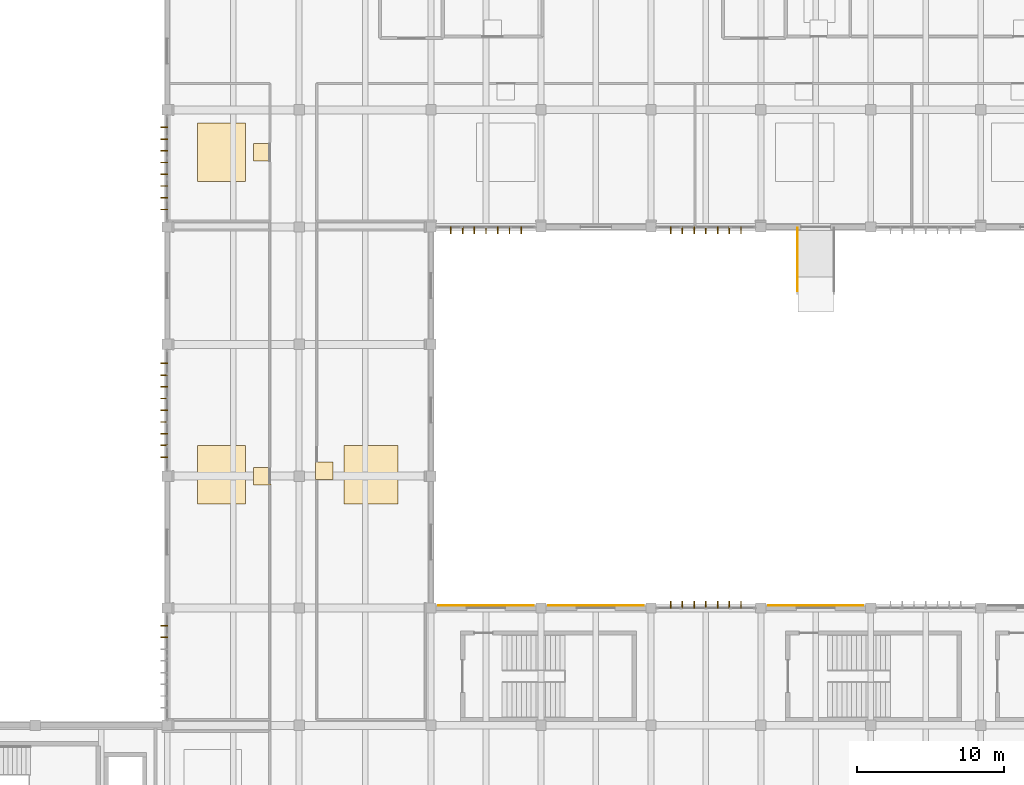
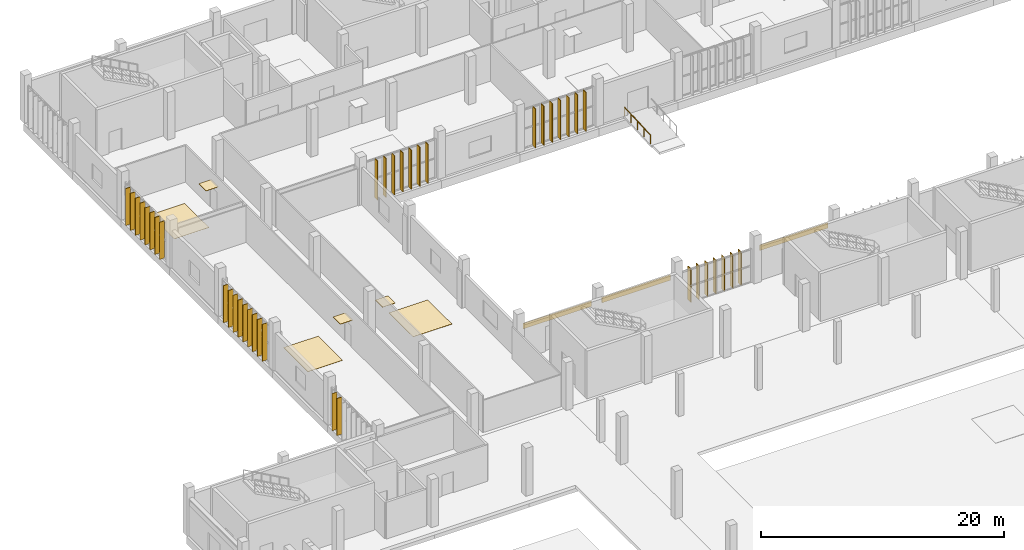
# One storey, part 63 of 72: 40 shading devices, 9 coverings, 1 railing.
"""IFC4 building model written with IfcOpenShell, lengths in metres."""

from ifc_helpers import new_model, si_unit, direction, frame, origin, origin_2d, place, context, subcontext, project, spatial, rectangle, circle, extrude, material, layer, layer_set, material_profile, profile_set, type_object, element, save


model = new_model("IFC4")

# Units and contexts
model_context = context("Model", 3, precision=1e-05, world=origin(), true_north=direction((0.0, 1.0)))
body_context = subcontext(model_context, "Body", "Model", "MODEL_VIEW")
ifc_project = project(units=[si_unit("LENGTHUNIT", "METRE"), si_unit("AREAUNIT", "SQUARE_METRE"), si_unit("VOLUMEUNIT", "CUBIC_METRE"), si_unit("PLANEANGLEUNIT", "RADIAN"), si_unit("MASSUNIT", "GRAM", prefix="KILO")], contexts=[model_context])

# Site, building, storey
site_placement = place(None, origin())
site = spatial("IfcSite", under=ifc_project, at=site_placement, CompositionType="ELEMENT")
building_placement = place(site_placement, origin())
building = spatial("IfcBuilding", under=site, at=building_placement, Name="Vourika Railside Aquatics Centre", CompositionType="ELEMENT")
storey_placement = place(building_placement, origin())
storey = spatial("IfcBuildingStorey", under=building, at=storey_placement, Name="L00", CompositionType="ELEMENT", Elevation=0.0)

# Coverings
ifc_material_1 = material(Name="Perforated moisture-resistant acoustic gypsum ceiling")
ifc_layer_1 = layer(ifc_material_1, 0.02490234375, Name="COV-CEIL-25")
ifc_layer_set_1 = layer_set([ifc_layer_1], Name="Perforated moisture-resistant acoustic gypsum ceiling")
covering_type_1 = type_object("IfcCoveringType", Name="COV-CEIL-25", PredefinedType="CEILING", material=ifc_layer_set_1)
for number, where, z_axis, x_axis, name in (
    (1, (24.47998046875, 97.10009765625, 2.637451171875), (0.0, 0.0, 1.0), (1.0, 0.0, 0.0), "Gait Hydro-Treadmill Therapy Room Acoustic Ceiling Panel"),
    (2, (24.47998046875, 75.010009765625, 2.637451171875), (0.0, 0.0, 1.0), (1.0, 0.0, 0.0), "Cryotherapy Recovery Hall Acoustic Ceiling Panel"),
    (3, (28.719970703125, 75.375, 2.637451171875), (0.0, 0.0, 1.0), (1.0, 0.0, 0.0), "Community Club Reception Hall Acoustic Ceiling Panel"),
):
    element("IfcCovering", number, at=place(storey_placement, frame(where, z_axis=z_axis, x_axis=x_axis)), inside=storey, type_object=covering_type_1, Name=name, PredefinedType="CEILING", context=body_context, shape_type="SweptSolid", body=[
        extrude(rectangle(XDim=1.199951171875, YDim=1.199951171875, at=origin_2d()), origin(), (0.0, 0.0, 1.0), 0.02490234375),
    ])
ifc_material_2 = material(Name="Bronze-anodized aluminium rainscreen", Category="aluminium")
ifc_layer_2 = layer(ifc_material_2, 0.044921875, Name="COV-CLAD-45")
ifc_layer_set_2 = layer_set([ifc_layer_2], Name="Bronze-anodized aluminium rainscreen")
covering_type_2 = type_object("IfcCoveringType", Name="COV-CLAD-45", PredefinedType="CLADDING", material=ifc_layer_set_2)
for number, where, z_axis, x_axis, name in (
    (4, (39.75, 66.179931640625, 2.7548828125), (0.0, 0.0, 1.0), (-1.0, 0.0, 0.0), "Perforated Bronze Rainscreen Band CL-001"),
    (5, (47.25, 66.179931640625, 2.7548828125), (0.0, 0.0, 1.0), (-1.0, 0.0, 0.0), "Perforated Bronze Rainscreen Band CL-002"),
    (6, (62.25, 66.179931640625, 2.7548828125), (0.0, 0.0, 1.0), (-1.0, 0.0, 0.0), "Perforated Bronze Rainscreen Band CL-003"),
):
    element("IfcCovering", number, at=place(storey_placement, frame(where, z_axis=z_axis, x_axis=x_axis)), inside=storey, type_object=covering_type_2, Name=name, PredefinedType="CLADDING", context=body_context, shape_type="SweptSolid", body=[
        extrude(rectangle(XDim=6.5, YDim=0.044921875, at=origin_2d()), origin(), (0.0, 0.0, 1.0), 0.550048828125),
    ])
ifc_material_3 = material(Name="Slip-resistant aqua ceramic sports flooring")
ifc_layer_3 = layer(ifc_material_3, 0.02001953125, Name="COV-FLOR-20")
ifc_layer_set_3 = layer_set([ifc_layer_3], Name="Slip-resistant aqua ceramic sports flooring")
covering_type_3 = type_object("IfcCoveringType", Name="COV-FLOR-20", PredefinedType="FLOORING", material=ifc_layer_set_3)
for number, where, z_axis, x_axis, name in (
    (7, (21.699951171875, 97.10009765625, 0.0), (0.0, 0.0, 1.0), (1.0, 0.0, 0.0), "Gait Hydro-Treadmill Therapy Room Sports Flooring Panel"),
    (8, (21.699951171875, 75.10009765625, 0.0), (0.0, 0.0, 1.0), (1.0, 0.0, 0.0), "Cryotherapy Recovery Hall Sports Flooring Panel"),
):
    element("IfcCovering", number, at=place(storey_placement, frame(where, z_axis=z_axis, x_axis=x_axis)), inside=storey, type_object=covering_type_3, Name=name, PredefinedType="FLOORING", context=body_context, shape_type="SweptSolid", body=[
        extrude(rectangle(XDim=3.300048828125, YDim=4.0, at=origin_2d()), origin(), (0.0, 0.0, 1.0), 0.02001953125),
    ])
covering_placement = place(storey_placement, frame((31.89990234375, 75.10009765625, 0.0), z_axis=(0.0, 0.0, 1.0), x_axis=(1.0, 0.0, 0.0)))
element("IfcCovering", 9, at=covering_placement, inside=storey, type_object=covering_type_3, Name="Community Club Reception Hall Sports Flooring Panel", PredefinedType="FLOORING", context=body_context, shape_type="SweptSolid", body=[
    extrude(rectangle(XDim=3.699951171875, YDim=4.0, at=origin_2d()), origin(), (0.0, 0.0, 1.0), 0.02001953125),
])

# Railing
ifc_material_4 = material(Name="Duplex stainless steel EN 1.4462", Category="steel")
railing_type = type_object("IfcRailingType", Name="RL-HAND-920", PredefinedType="HANDRAIL", material=ifc_material_4)
railing_placement = place(storey_placement, frame((61.0, 87.64990234375, -0.23681640625)))
element("IfcRailing", 10, at=railing_placement, inside=storey, type_object=railing_type, Name="Monsoon Courtyard Clinic Accessible Ramp AR2 Handrail L", PredefinedType="HANDRAIL", context=body_context, shape_type="SweptSolid", body=[
    extrude(circle(Radius=0.02392578125, at=origin_2d()), frame((0.0, 0.0, 0.89599609375), z_axis=(0.0, 0.998598361492, 0.052927426021), x_axis=(-1.0, 0.0, 0.0)), (0.0, 0.0, 1.0), 4.276123046875),
    extrude(circle(Radius=0.02099609375, at=origin_2d()), origin(), (0.0, 0.0, 1.0), 0.871826171875),
    extrude(circle(Radius=0.02099609375, at=origin_2d()), frame((0.0, 1.0673828125, 0.056640625)), (0.0, 0.0, 1.0), 0.871826171875),
    extrude(circle(Radius=0.02099609375, at=origin_2d()), frame((0.0, 2.135009765625, 0.11328125)), (0.0, 0.0, 1.0), 0.871826171875),
    extrude(circle(Radius=0.02099609375, at=origin_2d()), frame((0.0, 3.20263671875, 0.169677734375)), (0.0, 0.0, 1.0), 0.871826171875),
    extrude(circle(Radius=0.02099609375, at=origin_2d()), frame((0.0, 4.27001953125, 0.226318359375)), (0.0, 0.0, 1.0), 0.871826171875),
])

# Shading devices
ifc_material_5 = material(Name="Bronze-anodized extruded aluminium", Category="aluminium")
ifc_material_profile = material_profile(ifc_material_5, rectangle(XDim=0.06005859375, YDim=0.47998046875, at=origin_2d()), Name="ALU-FIN 60x480")
ifc_profile_set = profile_set([ifc_material_profile], Name="Bronze-anodized extruded aluminium")
shading_device_type = type_object("IfcShadingDeviceType", Name="SHD-FIN-F48A", PredefinedType="USERDEFINED", material=ifc_profile_set)
for number, where, z_axis, x_axis, name in (
    (11, (52.35009765625, 66.215087890625, 0.0), (0.0, 0.0, 1.0), (1.0, 0.0, 0.0), "Vertical Solar Fin VSF-0193"),
    (12, (53.14990234375, 66.215087890625, 0.0), (0.0, 0.0, 1.0), (1.0, 0.0, 0.0), "Vertical Solar Fin VSF-0194"),
    (13, (53.949951171875, 66.215087890625, 0.0), (0.0, 0.0, 1.0), (1.0, 0.0, 0.0), "Vertical Solar Fin VSF-0195"),
    (14, (54.75, 66.215087890625, 0.0), (0.0, 0.0, 1.0), (1.0, 0.0, 0.0), "Vertical Solar Fin VSF-0196"),
    (15, (55.550048828125, 66.215087890625, 0.0), (0.0, 0.0, 1.0), (1.0, 0.0, 0.0), "Vertical Solar Fin VSF-0197"),
    (16, (56.35009765625, 66.215087890625, 0.0), (0.0, 0.0, 1.0), (1.0, 0.0, 0.0), "Vertical Solar Fin VSF-0198"),
    (17, (57.14990234375, 66.215087890625, 0.0), (0.0, 0.0, 1.0), (1.0, 0.0, 0.0), "Vertical Solar Fin VSF-0199"),
):
    element("IfcShadingDevice", number, at=place(storey_placement, frame(where, z_axis=z_axis, x_axis=x_axis)), inside=storey, type_object=shading_device_type, Name=name, ObjectType="FIN", PredefinedType="USERDEFINED", context=body_context, shape_type="SweptSolid", body=[
        extrude(rectangle(XDim=0.06005859375, YDim=0.47998046875, at=origin_2d()), origin(), (0.0, 0.0, 1.0), 3.3798828125),
    ])
for number, where, z_axis, x_axis, name in (
    (18, (37.35009765625, 91.784912109375, 0.0), (0.0, 0.0, 1.0), (-1.0, 0.0, 0.0), "Vertical Solar Fin VSF-0642"),
    (19, (38.14990234375, 91.784912109375, 0.0), (0.0, 0.0, 1.0), (-1.0, 0.0, 0.0), "Vertical Solar Fin VSF-0643"),
    (20, (38.949951171875, 91.784912109375, 0.0), (0.0, 0.0, 1.0), (-1.0, 0.0, 0.0), "Vertical Solar Fin VSF-0644"),
    (21, (39.75, 91.784912109375, 0.0), (0.0, 0.0, 1.0), (-1.0, 0.0, 0.0), "Vertical Solar Fin VSF-0645"),
    (22, (40.550048828125, 91.784912109375, 0.0), (0.0, 0.0, 1.0), (-1.0, 0.0, 0.0), "Vertical Solar Fin VSF-0646"),
    (23, (41.35009765625, 91.784912109375, 0.0), (0.0, 0.0, 1.0), (-1.0, 0.0, 0.0), "Vertical Solar Fin VSF-0647"),
    (24, (42.14990234375, 91.784912109375, 0.0), (0.0, 0.0, 1.0), (-1.0, 0.0, 0.0), "Vertical Solar Fin VSF-0648"),
    (25, (52.35009765625, 91.784912109375, 0.0), (0.0, 0.0, 1.0), (-1.0, 0.0, 0.0), "Vertical Solar Fin VSF-0649"),
    (26, (53.14990234375, 91.784912109375, 0.0), (0.0, 0.0, 1.0), (-1.0, 0.0, 0.0), "Vertical Solar Fin VSF-0650"),
    (27, (53.949951171875, 91.784912109375, 0.0), (0.0, 0.0, 1.0), (-1.0, 0.0, 0.0), "Vertical Solar Fin VSF-0651"),
    (28, (54.75, 91.784912109375, 0.0), (0.0, 0.0, 1.0), (-1.0, 0.0, 0.0), "Vertical Solar Fin VSF-0652"),
    (29, (55.550048828125, 91.784912109375, 0.0), (0.0, 0.0, 1.0), (-1.0, 0.0, 0.0), "Vertical Solar Fin VSF-0653"),
    (30, (56.35009765625, 91.784912109375, 0.0), (0.0, 0.0, 1.0), (-1.0, 0.0, 0.0), "Vertical Solar Fin VSF-0654"),
    (31, (57.14990234375, 91.784912109375, 0.0), (0.0, 0.0, 1.0), (-1.0, 0.0, 0.0), "Vertical Solar Fin VSF-0655"),
):
    element("IfcShadingDevice", number, at=place(storey_placement, frame(where, z_axis=z_axis, x_axis=x_axis)), inside=storey, type_object=shading_device_type, Name=name, ObjectType="FIN", PredefinedType="USERDEFINED", context=body_context, shape_type="SweptSolid", body=[
        extrude(rectangle(XDim=0.06005859375, YDim=0.47998046875, at=origin_2d()), origin(), (0.0, 0.0, 1.0), 3.929931640625),
    ])
for number, where, z_axis, x_axis, name in (
    (32, (17.784912109375, 64.0, 0.0), (0.0, 0.0, 1.0), (0.0, 1.0, 0.0), "Vertical Solar Fin VSF-0697"),
    (33, (17.784912109375, 64.800048828125, 0.0), (0.0, 0.0, 1.0), (0.0, 1.0, 0.0), "Vertical Solar Fin VSF-0698"),
    (34, (17.784912109375, 76.300048828125, 0.0), (0.0, 0.0, 1.0), (0.0, 1.0, 0.0), "Vertical Solar Fin VSF-0699"),
    (35, (17.784912109375, 77.10009765625, 0.0), (0.0, 0.0, 1.0), (0.0, 1.0, 0.0), "Vertical Solar Fin VSF-0700"),
    (36, (17.784912109375, 77.89990234375, 0.0), (0.0, 0.0, 1.0), (0.0, 1.0, 0.0), "Vertical Solar Fin VSF-0701"),
    (37, (17.784912109375, 78.699951171875, 0.0), (0.0, 0.0, 1.0), (0.0, 1.0, 0.0), "Vertical Solar Fin VSF-0702"),
    (38, (17.784912109375, 79.5, 0.0), (0.0, 0.0, 1.0), (0.0, 1.0, 0.0), "Vertical Solar Fin VSF-0703"),
    (39, (17.784912109375, 80.300048828125, 0.0), (0.0, 0.0, 1.0), (0.0, 1.0, 0.0), "Vertical Solar Fin VSF-0704"),
    (40, (17.784912109375, 81.10009765625, 0.0), (0.0, 0.0, 1.0), (0.0, 1.0, 0.0), "Vertical Solar Fin VSF-0705"),
    (41, (17.784912109375, 81.89990234375, 0.0), (0.0, 0.0, 1.0), (0.0, 1.0, 0.0), "Vertical Solar Fin VSF-0706"),
    (42, (17.784912109375, 82.699951171875, 0.0), (0.0, 0.0, 1.0), (0.0, 1.0, 0.0), "Vertical Solar Fin VSF-0707"),
    (43, (17.784912109375, 93.199951171875, 0.0), (0.0, 0.0, 1.0), (0.0, 1.0, 0.0), "Vertical Solar Fin VSF-0708"),
    (44, (17.784912109375, 94.0, 0.0), (0.0, 0.0, 1.0), (0.0, 1.0, 0.0), "Vertical Solar Fin VSF-0709"),
    (45, (17.784912109375, 94.800048828125, 0.0), (0.0, 0.0, 1.0), (0.0, 1.0, 0.0), "Vertical Solar Fin VSF-0710"),
    (46, (17.784912109375, 95.60009765625, 0.0), (0.0, 0.0, 1.0), (0.0, 1.0, 0.0), "Vertical Solar Fin VSF-0711"),
    (47, (17.784912109375, 96.39990234375, 0.0), (0.0, 0.0, 1.0), (0.0, 1.0, 0.0), "Vertical Solar Fin VSF-0712"),
    (48, (17.784912109375, 97.199951171875, 0.0), (0.0, 0.0, 1.0), (0.0, 1.0, 0.0), "Vertical Solar Fin VSF-0713"),
    (49, (17.784912109375, 98.0, 0.0), (0.0, 0.0, 1.0), (0.0, 1.0, 0.0), "Vertical Solar Fin VSF-0714"),
    (50, (17.784912109375, 98.800048828125, 0.0), (0.0, 0.0, 1.0), (0.0, 1.0, 0.0), "Vertical Solar Fin VSF-0715"),
):
    element("IfcShadingDevice", number, at=place(storey_placement, frame(where, z_axis=z_axis, x_axis=x_axis)), inside=storey, type_object=shading_device_type, Name=name, ObjectType="FIN", PredefinedType="USERDEFINED", context=body_context, shape_type="SweptSolid", body=[
        extrude(rectangle(XDim=0.06005859375, YDim=0.47998046875, at=origin_2d()), origin(), (0.0, 0.0, 1.0), 3.72998046875),
    ])

save(model, "model.ifc")
